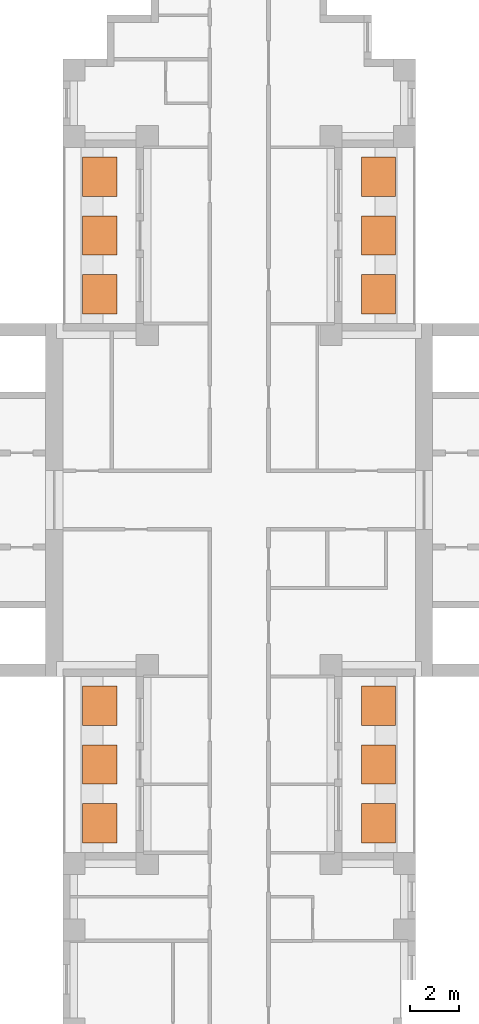
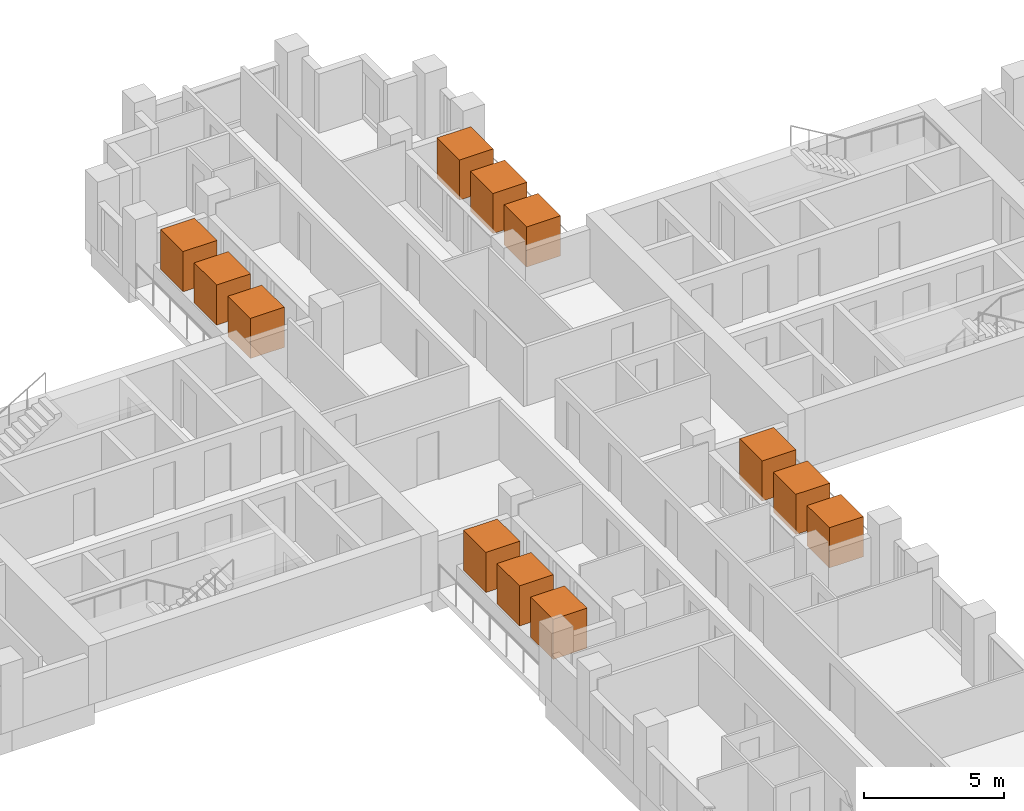
# One storey, part 13 of 13: 12 geographic elements.
"""IFC4 building model written with IfcOpenShell, lengths in metres."""

from ifc_helpers import new_model, si_unit, direction, frame, origin, origin_2d, place, context, subcontext, project, spatial, rectangle, extrude, material, element, save


model = new_model("IFC4")

# Units and contexts
model_context = context("Model", 3, precision=1e-05, world=origin(), true_north=direction((0.0, 1.0)))
body_context = subcontext(model_context, "Body", "Model", "MODEL_VIEW")
ifc_project = project(units=[si_unit("LENGTHUNIT", "METRE"), si_unit("AREAUNIT", "SQUARE_METRE"), si_unit("VOLUMEUNIT", "CUBIC_METRE"), si_unit("PLANEANGLEUNIT", "RADIAN"), si_unit("MASSUNIT", "GRAM", prefix="KILO")], contexts=[model_context])

# Site, building, storey
site_placement = place(None, origin())
site = spatial("IfcSite", under=ifc_project, at=site_placement, CompositionType="ELEMENT")
building_placement = place(site_placement, origin())
building = spatial("IfcBuilding", under=site, at=building_placement, Name="Fustian Cross Tower", CompositionType="ELEMENT")
storey_placement = place(building_placement, frame((0.0, 0.0, 75.89990234375)))
storey = spatial("IfcBuildingStorey", under=building, at=storey_placement, Name="L23", CompositionType="ELEMENT", Elevation=75.89990234375)

# Geographic elements
ifc_material = material(Name="Evergreen foliage")
for number, where, z_axis, x_axis, name in (
    (1, (5.68994140625, 8.39990234375, 0.800048828125), (0.0, 0.0, 1.0), (1.0, 0.0, 0.0), "TREE field maple"),
    (2, (5.68994140625, 10.800048828125, 0.800048828125), (0.0, 0.0, 1.0), (1.0, 0.0, 0.0), "TREE field maple"),
    (3, (5.68994140625, 13.199951171875, 0.800048828125), (0.0, 0.0, 1.0), (1.0, 0.0, 0.0), "TREE field maple"),
    (4, (-5.68994140625, 8.39990234375, 0.800048828125), (0.0, 0.0, 1.0), (1.0, 0.0, 0.0), "TREE field maple"),
    (5, (-5.68994140625, 10.800048828125, 0.800048828125), (0.0, 0.0, 1.0), (1.0, 0.0, 0.0), "TREE field maple"),
    (6, (-5.68994140625, 13.199951171875, 0.800048828125), (0.0, 0.0, 1.0), (1.0, 0.0, 0.0), "TREE field maple"),
    (7, (5.68994140625, -13.199951171875, 0.800048828125), (0.0, 0.0, 1.0), (1.0, 0.0, 0.0), "TREE field maple"),
    (8, (5.68994140625, -10.800048828125, 0.800048828125), (0.0, 0.0, 1.0), (1.0, 0.0, 0.0), "TREE field maple"),
    (9, (5.68994140625, -8.39990234375, 0.800048828125), (0.0, 0.0, 1.0), (1.0, 0.0, 0.0), "TREE field maple"),
    (10, (-5.68994140625, -13.199951171875, 0.800048828125), (0.0, 0.0, 1.0), (1.0, 0.0, 0.0), "TREE field maple"),
    (11, (-5.68994140625, -10.800048828125, 0.800048828125), (0.0, 0.0, 1.0), (1.0, 0.0, 0.0), "TREE field maple"),
    (12, (-5.68994140625, -8.39990234375, 0.800048828125), (0.0, 0.0, 1.0), (1.0, 0.0, 0.0), "TREE field maple"),
):
    element("IfcGeographicElement", number, at=place(storey_placement, frame(where, z_axis=z_axis, x_axis=x_axis)), inside=storey, material=ifc_material, Name=name, ObjectType="VEGETATION", PredefinedType="USERDEFINED", context=body_context, shape_type="SweptSolid", body=[
        extrude(rectangle(XDim=1.39990234375, YDim=1.60009765625, at=origin_2d()), origin(), (0.0, 0.0, 1.0), 1.75),
    ])

save(model, "model.ifc")
